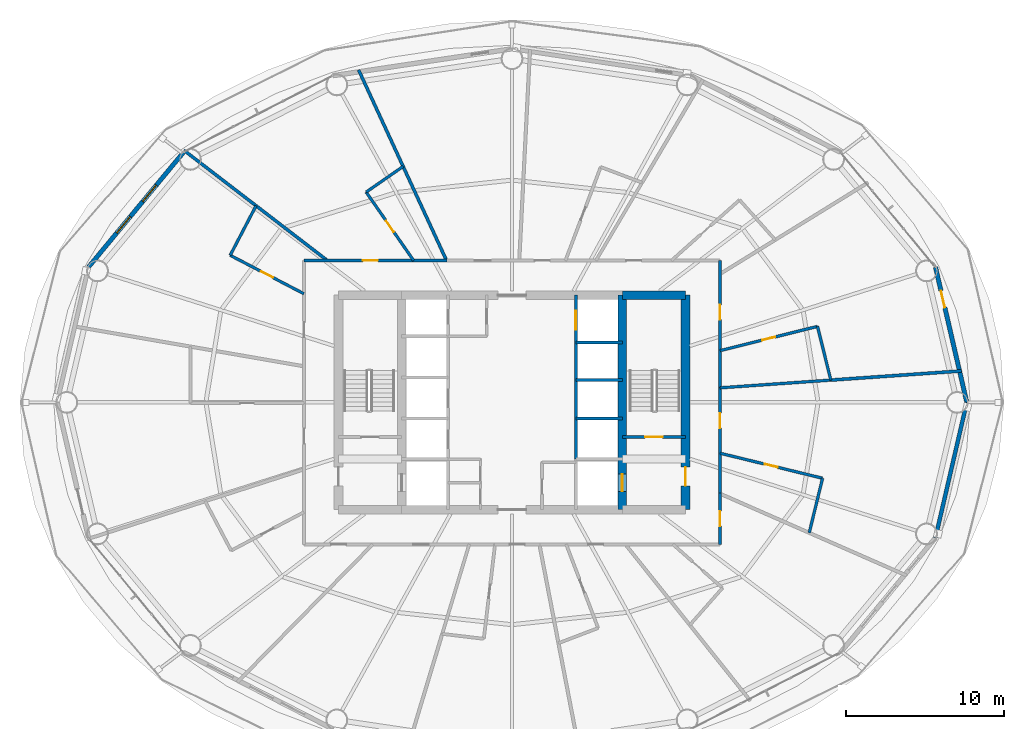
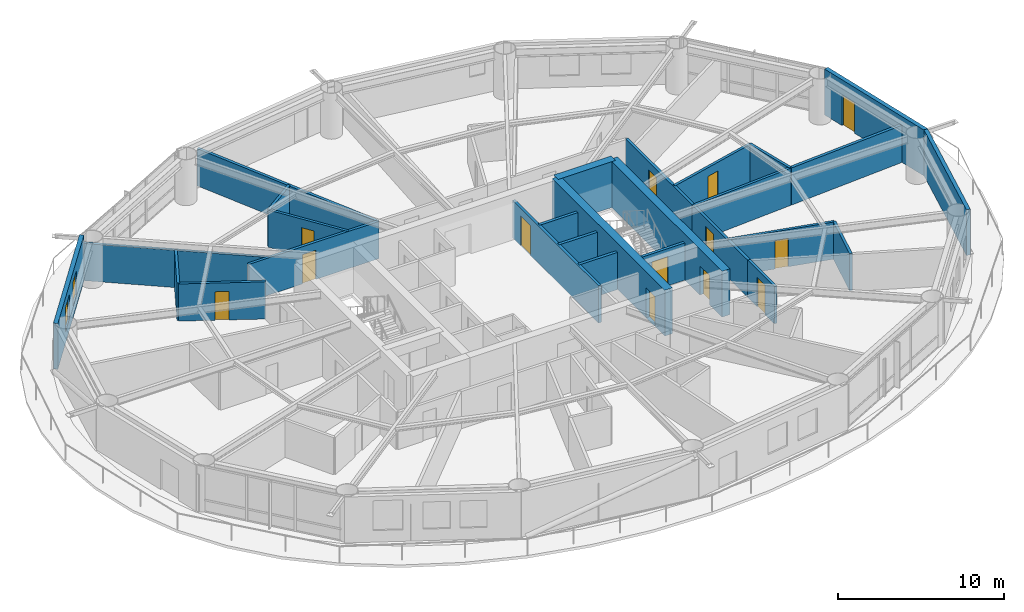
# One storey, part 20 of 24: 27 walls, 13 doors, 2 windows, 15 openings.
"""IFC4 building model written with IfcOpenShell, lengths in metres."""

import ifcopenshell
import ifcopenshell.guid

model = None  # the IFC model being written
_history = None  # IfcOwnerHistory: only IFC2X3 demands one
_inside = {}  # id of a spatial element -> (the spatial element, [elements in it])
_under = {}  # id of a project, library or spatial element -> (it, [spatial elements below it])
_declared = {}  # id of a project -> (the project, [libraries it declares])
_typed = {}  # id of a type object -> (the type object, [elements of that type])
_made_of = {}  # id of a material, layer set ... -> (it, [elements and type objects made of it])


def new_model(schema):
    """Start an empty IFC model of exactly this schema.

    Asked for "IFC4X3", IfcOpenShell would pick the latest addendum, in which some entities
    have other attributes; the version numbers below select the first issue.
    IFC2X3 requires an IfcOwnerHistory on every rooted entity: one is made here for all.
    """
    global model, _history
    if schema == "IFC4X3":
        model = ifcopenshell.file(schema_version=(4, 3, 0, 0))
    else:
        model = ifcopenshell.file(schema=schema)
    _inside.clear()
    _under.clear()
    _declared.clear()
    _typed.clear()
    _made_of.clear()
    _history = None
    if model.schema == "IFC2X3":
        org = make("IfcOrganization", Name="unknown")
        user = make(
            "IfcPersonAndOrganization",
            ThePerson=make("IfcPerson", FamilyName="unknown"),
            TheOrganization=org,
        )
        app = make(
            "IfcApplication",
            ApplicationDeveloper=org,
            Version="unknown",
            ApplicationFullName="unknown",
            ApplicationIdentifier="unknown",
        )
        _history = make(
            "IfcOwnerHistory",
            OwningUser=user,
            OwningApplication=app,
            ChangeAction="ADDED",
            CreationDate=0,
        )
    return model


def make(cls, **values):
    """One entity of the class cls with the attributes given. An attribute that is None is left unset."""
    return model.create_entity(
        cls, **{name: value for name, value in values.items() if value is not None}
    )


def rooted(cls, **values):
    """An entity with a GlobalId (a new one), such as an element, a storey or a relation."""
    return make(cls, GlobalId=ifcopenshell.guid.new(), OwnerHistory=_history, **values)


def si_unit(unit_type, name, prefix=None):
    """IfcSIUnit, for example si_unit("LENGTHUNIT", "METRE", prefix="MILLI")."""
    return make("IfcSIUnit", UnitType=unit_type, Prefix=prefix, Name=name)


def assignment(units):
    """IfcUnitAssignment: the units of a project."""
    return None if units is None else make("IfcUnitAssignment", Units=units)


def point(xyz):
    """IfcCartesianPoint."""
    return None if xyz is None else make("IfcCartesianPoint", Coordinates=xyz)


def direction(xyz):
    """IfcDirection."""
    return None if xyz is None else make("IfcDirection", DirectionRatios=xyz)


def frame(location, z_axis=None, x_axis=None):
    """IfcAxis2Placement3D, a coordinate frame: its origin and axes. An axis left out is left unset."""
    return make(
        "IfcAxis2Placement3D",
        Location=point(location),
        Axis=direction(z_axis),
        RefDirection=direction(x_axis),
    )


def frame_2d(location, x_axis=None):
    """IfcAxis2Placement2D, a coordinate frame in the plane: its origin and x axis."""
    return make(
        "IfcAxis2Placement2D", Location=point(location), RefDirection=direction(x_axis)
    )


def origin():
    """The frame at (0, 0, 0) with its axes left unset."""
    return frame((0.0, 0.0, 0.0))


def place(relative_to, where):
    """IfcLocalPlacement: puts the frame where relative to a parent placement (None: the world)."""
    return make(
        "IfcLocalPlacement", PlacementRelTo=relative_to, RelativePlacement=where
    )


def context(
    kind, dimensions, precision=None, world=None, true_north=None, identifier=None
):
    """IfcGeometricRepresentationContext, for example the 3D "Model" context."""
    return make(
        "IfcGeometricRepresentationContext",
        ContextIdentifier=identifier,
        ContextType=kind,
        CoordinateSpaceDimension=dimensions,
        Precision=precision,
        WorldCoordinateSystem=world,
        TrueNorth=true_north,
    )


def subcontext(parent, identifier, kind, view, scale=None):
    """IfcGeometricRepresentationSubContext, for example "Body" below "Model"."""
    return make(
        "IfcGeometricRepresentationSubContext",
        ContextIdentifier=identifier,
        ContextType=kind,
        ParentContext=parent,
        TargetScale=scale,
        TargetView=view,
    )


def project(units=None, contexts=None):
    """IfcProject with its units and contexts."""
    return rooted(
        "IfcProject",
        Name="project",
        RepresentationContexts=contexts,
        UnitsInContext=assignment(units),
    )


def spatial(cls, under=None, at=None, **own):
    """A site, building, storey or space (cls), placed at a placement, below another one or the project."""
    s = rooted(cls, ObjectPlacement=at, **own)
    if under is not None:
        _under.setdefault(under.id(), (under, []))[1].append(s)
    return s


def profile(cls, at=None, kind="AREA", **sizes):
    """A parametric profile (cls). Its sizes go by their IFC names, for example OverallWidth=200.0."""
    return make(cls, ProfileType=kind, Position=at, **sizes)


def rectangle(**sizes):
    """IfcRectangleProfileDef."""
    return profile("IfcRectangleProfileDef", **sizes)


def extrude(swept, where, along, depth):
    """IfcExtrudedAreaSolid: the profile swept, set in the frame where, extruded along a direction by depth."""
    return make(
        "IfcExtrudedAreaSolid",
        SweptArea=swept,
        Position=where,
        ExtrudedDirection=direction(along),
        Depth=depth,
    )


def shape(context_of_items, identifier, shape_type, items):
    """IfcShapeRepresentation: the items that make up one representation, for example the "Body"."""
    return make(
        "IfcShapeRepresentation",
        ContextOfItems=context_of_items,
        RepresentationIdentifier=identifier,
        RepresentationType=shape_type,
        Items=items,
    )


def material(Name=None, Category=None):
    """IfcMaterial."""
    return make("IfcMaterial", Name=Name, Category=Category)


def layer(
    of_material, thickness, ventilated=None, Name=None, Category=None, Priority=None
):
    """IfcMaterialLayer: one layer of a wall or slab, of a material (None: an air gap)."""
    return make(
        "IfcMaterialLayer",
        Material=of_material,
        LayerThickness=thickness,
        IsVentilated=ventilated,
        Name=Name,
        Category=Category,
        Priority=Priority,
    )


def layer_set(layers, Name=None):
    """IfcMaterialLayerSet."""
    return make("IfcMaterialLayerSet", MaterialLayers=layers, LayerSetName=Name)


def made_of(thing, what):
    """Note that an element or type object is made of a material, layer set ...; save() writes the relation."""
    if what is not None:
        _made_of.setdefault(what.id(), (what, []))[1].append(thing)
    return thing


def type_object(cls, material=None, **own):
    """A type object (cls), such as IfcWallType, which elements share."""
    return made_of(rooted(cls, **own), material)


def element(
    cls,
    number,
    at=None,
    inside=None,
    cuts=None,
    type_object=None,
    material=None,
    context=None,
    identifier="Body",
    shape_type=None,
    held_by="IfcProductDefinitionShape",
    body=None,
    shapes=None,
    **own,
):
    """One element of the class cls, such as IfcWall. Its Tag is "e" and its number.

    at: its placement. inside: the storey or other place that contains it. cuts: it is an
    opening in that element (IfcRelVoidsElement). A single representation is given by context,
    identifier, shape_type and body (its items); several are given by shapes. held_by: the class
    of the entity that holds the representations. save() writes the other relations.
    """
    e = rooted(cls, Tag="e%d" % number, ObjectPlacement=at, **own)
    if body is not None:
        shapes = [shape(context, identifier, shape_type, body)]
    if shapes is not None:
        e.Representation = make(held_by, Representations=shapes)
    if inside is not None:
        _inside.setdefault(inside.id(), (inside, []))[1].append(e)
    if cuts is not None:
        rooted(
            "IfcRelVoidsElement", RelatingBuildingElement=cuts, RelatedOpeningElement=e
        )
    if type_object is not None:
        _typed.setdefault(type_object.id(), (type_object, []))[1].append(e)
    return made_of(e, material)


def fill(opening, filler):
    """IfcRelFillsElement: the door or window that sits in an opening."""
    return rooted(
        "IfcRelFillsElement",
        RelatingOpeningElement=opening,
        RelatedBuildingElement=filler,
    )


def aggregate(whole, parts):
    """IfcRelAggregates: a whole, such as a stair, and the parts it consists of."""
    return rooted("IfcRelAggregates", RelatingObject=whole, RelatedObjects=parts)


def save(model, path):
    """Write the relations noted so far, then the file.

    IfcRelAggregates (storeys below a building ...), IfcRelContainedInSpatialStructure (elements
    in a storey), IfcRelDefinesByType, IfcRelAssociatesMaterial and IfcRelDeclares: one each for
    every whole, place, type object, material and project.
    """
    for whole, parts in _under.values():
        aggregate(whole, parts)
    for where, things in _inside.values():
        rooted(
            "IfcRelContainedInSpatialStructure",
            RelatedElements=things,
            RelatingStructure=where,
        )
    for kind, things in _typed.values():
        rooted("IfcRelDefinesByType", RelatedObjects=things, RelatingType=kind)
    for what, things in _made_of.values():
        rooted("IfcRelAssociatesMaterial", RelatedObjects=things, RelatingMaterial=what)
    for by, libraries in _declared.values():
        rooted("IfcRelDeclares", RelatingContext=by, RelatedDefinitions=libraries)
    model.write(path)


model = new_model("IFC4")

# Units and contexts
model_context = context("Model", 3, precision=1e-05, world=origin(), true_north=direction((0.0, 1.0)))
body_context = subcontext(model_context, "Body", "Model", "MODEL_VIEW")
ifc_project = project(units=[si_unit("LENGTHUNIT", "METRE"), si_unit("AREAUNIT", "SQUARE_METRE"), si_unit("VOLUMEUNIT", "CUBIC_METRE"), si_unit("PLANEANGLEUNIT", "RADIAN"), si_unit("MASSUNIT", "GRAM", prefix="KILO")], contexts=[model_context])

# Site, building, storey
site_placement = place(None, origin())
site = spatial("IfcSite", under=ifc_project, at=site_placement, CompositionType="ELEMENT")
building_placement = place(site_placement, origin())
building = spatial("IfcBuilding", under=site, at=building_placement, Name="Sarneth Arch Tower", CompositionType="ELEMENT")
storey_placement = place(building_placement, frame((0.0, 0.0, 91.199951171875)))
storey = spatial("IfcBuildingStorey", under=building, at=storey_placement, Name="L22", CompositionType="ELEMENT", Elevation=91.199951171875)

# Wall
ifc_material_1 = material(Name="Concrete C60/75", Category="concrete")
ifc_layer_1 = layer(ifc_material_1, 0.550048828125)
ifc_layer_set_1 = layer_set([ifc_layer_1], Name="Concrete C60/75")
wall_type_1 = type_object("IfcWallType", Name="WALL-CORE-550", PredefinedType="SHEAR", material=ifc_layer_set_1)
wall_1_placement = place(storey_placement, frame((55.0, 48.800048828125, 0.0), z_axis=(0.0, 0.0, 1.0), x_axis=(1.0, 0.0, 0.0)))
element("IfcWall", 1, at=wall_1_placement, inside=storey, type_object=wall_type_1, Name="L22 Core shear wall N-E", PredefinedType="SHEAR", context=body_context, shape_type="SweptSolid", body=[
    extrude(rectangle(XDim=4.0, YDim=0.550048828125, at=frame_2d((2.0, 0.0))), origin(), (0.0, 0.0, 1.0), 3.380126953125),
])

# Wall, opening, door
wall_2_placement = place(storey_placement, frame((59.0, 35.199951171875, 0.0), z_axis=(0.0, 0.0, 1.0), x_axis=(0.0, 1.0, 0.0)))
wall_2 = element("IfcWall", 2, at=wall_2_placement, inside=storey, type_object=wall_type_1, Name="L22 Core shear wall E", PredefinedType="SHEAR", context=body_context, shape_type="SweptSolid", body=[
    extrude(rectangle(XDim=13.60009765625, YDim=0.550048828125, at=frame_2d((6.800048828125, 0.0))), origin(), (0.0, 0.0, 1.0), 3.380126953125),
])
opening_1_placement = place(wall_2_placement, frame((1.5, 0.0, 0.0)))
opening_1 = element("IfcOpeningElement", 3, at=opening_1_placement, cuts=wall_2, Name="Opening FD-02", PredefinedType="OPENING", context=body_context, shape_type="SweptSolid", body=[
    extrude(rectangle(XDim=1.199951171875, YDim=2.14990234375, at=frame_2d((0.60009765625, 1.074951171875))), frame((0.0, 0.284912109375, 0.0), z_axis=(0.0, -1.0, 0.0), x_axis=(1.0, 0.0, 0.0)), (0.0, 0.0, 1.0), 0.570068359375),
])
ifc_material_2 = material(Name="Galvanised Steel S275 fire door set", Category="steel")
door_type_1 = type_object("IfcDoorType", Name="DR-FD90-1200", OperationType="SINGLE_SWING_LEFT", PredefinedType="DOOR", material=ifc_material_2)
door_1_placement = place(opening_1_placement, origin())
door_1 = element("IfcDoor", 4, at=door_1_placement, inside=storey, type_object=door_type_1, Name="L22 Firefighting lobby 2 exit door", OperationType="SINGLE_SWING_RIGHT", OverallHeight=2.14990234375, OverallWidth=1.199951171875, PredefinedType="DOOR", context=body_context, shape_type="SweptSolid", body=[
    extrude(rectangle(XDim=1.199951171875, YDim=2.14990234375, at=frame_2d((0.60009765625, 1.074951171875))), frame((0.0, 0.02490234375, 0.0), z_axis=(0.0, -1.0, 0.0), x_axis=(1.0, 0.0, 0.0)), (0.0, 0.0, 1.0), 0.050048828125),
])
fill(opening_1, door_1)

wall_3_placement = place(storey_placement, frame((55.0, 35.199951171875, 0.0), z_axis=(0.0, 0.0, 1.0), x_axis=(0.0, 1.0, 0.0)))
wall_3 = element("IfcWall", 5, at=wall_3_placement, inside=storey, type_object=wall_type_1, Name="L22 Core shear wall WEB-E", PredefinedType="SHEAR", context=body_context, shape_type="SweptSolid", body=[
    extrude(rectangle(XDim=13.60009765625, YDim=0.550048828125, at=frame_2d((6.800048828125, 0.0))), origin(), (0.0, 0.0, 1.0), 3.380126953125),
])
opening_2_placement = place(wall_3_placement, frame((1.14990234375, 0.0, 0.0)))
opening_2 = element("IfcOpeningElement", 6, at=opening_2_placement, cuts=wall_3, Name="Opening LD-1", PredefinedType="OPENING", context=body_context, shape_type="SweptSolid", body=[
    extrude(rectangle(XDim=1.10009765625, YDim=2.199951171875, at=frame_2d((0.550048828125, 1.10009765625))), frame((0.0, 0.284912109375, 0.0), z_axis=(0.0, -1.0, 0.0), x_axis=(1.0, 0.0, 0.0)), (0.0, 0.0, 1.0), 0.570068359375),
])
ifc_material_3 = material(Name="Brushed Stainless Steel 304 lift landing door", Category="steel")
door_type_2 = type_object("IfcDoorType", Name="DR-LIFT-SLIDE-1100", OperationType="SLIDING_TO_LEFT", PredefinedType="DOOR", material=ifc_material_3)
door_2_placement = place(opening_2_placement, origin())
door_2 = element("IfcDoor", 7, at=door_2_placement, inside=storey, type_object=door_type_2, Name="L22 Firefighting lift landing door FL-2", OperationType="SLIDING_TO_RIGHT", OverallHeight=2.199951171875, OverallWidth=1.10009765625, PredefinedType="DOOR", context=body_context, shape_type="SweptSolid", body=[
    extrude(rectangle(XDim=1.10009765625, YDim=2.199951171875, at=frame_2d((0.550048828125, 1.10009765625))), frame((0.0, 0.02490234375, 0.0), z_axis=(0.0, -1.0, 0.0), x_axis=(1.0, 0.0, 0.0)), (0.0, 0.0, 1.0), 0.050048828125),
])
fill(opening_2, door_2)

ifc_material_4 = material(Name="Double steel-stud corridor fire wall", Category="steel")
ifc_layer_2 = layer(ifc_material_4, 0.18994140625)
ifc_layer_set_2 = layer_set([ifc_layer_2], Name="Double steel-stud corridor fire wall")
wall_type_2 = type_object("IfcWallType", Name="WALL-CORR-190", PredefinedType="PARTITIONING", material=ifc_layer_set_2)
wall_4_placement = place(storey_placement, frame((34.800048828125, 51.0, 0.0), z_axis=(0.0, 0.0, 1.0), x_axis=(1.0, 0.0, 0.0)))
wall_4 = element("IfcWall", 8, at=wall_4_placement, inside=storey, type_object=wall_type_2, Name="L22 Interior partition W-L22-TP-009", PredefinedType="PARTITIONING", context=body_context, shape_type="SweptSolid", body=[
    extrude(rectangle(XDim=9.08251953125, YDim=0.18994140625, at=frame_2d((4.541259765625, 0.0))), origin(), (0.0, 0.0, 1.0), 2.739990234375),
])
opening_3_placement = place(wall_4_placement, frame((3.741455078125, 0.0, 0.0)))
opening_3 = element("IfcOpeningElement", 9, at=opening_3_placement, cuts=wall_4, Name="Opening FD-09", PredefinedType="OPENING", context=body_context, shape_type="SweptSolid", body=[
    extrude(rectangle(XDim=0.949951171875, YDim=2.14990234375, at=frame_2d((0.47509765625, 1.074951171875))), frame((0.0, 0.10498046875, 0.0), z_axis=(0.0, -1.0, 0.0), x_axis=(1.0, 0.0, 0.0)), (0.0, 0.0, 1.0), 0.2099609375),
])
ifc_material_5 = material(Name="Hardwood timber hotel entrance fire door", Category="wood")
door_type_3 = type_object("IfcDoorType", Name="DR-FD60-950", OperationType="SINGLE_SWING_RIGHT", PredefinedType="DOOR", material=ifc_material_5)
door_3_placement = place(opening_3_placement, origin())
door_3 = element("IfcDoor", 10, at=door_3_placement, inside=storey, type_object=door_type_3, Name="L22 Interior door DR-L22-KEY-05", OperationType="SINGLE_SWING_LEFT", OverallHeight=2.14990234375, OverallWidth=0.949951171875, PredefinedType="DOOR", context=body_context, shape_type="SweptSolid", body=[
    extrude(rectangle(XDim=0.949951171875, YDim=2.14990234375, at=frame_2d((0.47509765625, 1.074951171875))), frame((0.0, 0.02490234375, 0.0), z_axis=(0.0, -1.0, 0.0), x_axis=(1.0, 0.0, 0.0)), (0.0, 0.0, 1.0), 0.050048828125),
])
fill(opening_3, door_3)

wall_5_placement = place(storey_placement, frame((61.199951171875, 51.0, 0.0), z_axis=(0.0, 0.0, 1.0), x_axis=(0.0, -1.0, 0.0)))
wall_5 = element("IfcWall", 11, at=wall_5_placement, inside=storey, type_object=wall_type_2, Name="L22 Interior partition W-L22-TP-001", PredefinedType="PARTITIONING", context=body_context, shape_type="SweptSolid", body=[
    extrude(rectangle(XDim=8.109130859375, YDim=0.18994140625, at=frame_2d((4.0546875, 0.0))), origin(), (0.0, 0.0, 1.0), 2.739990234375),
])
opening_4_placement = place(wall_5_placement, frame((2.805908203125, 0.0, 0.0)))
opening_4 = element("IfcOpeningElement", 12, at=opening_4_placement, cuts=wall_5, Name="Opening FD-09", PredefinedType="OPENING", context=body_context, shape_type="SweptSolid", body=[
    extrude(rectangle(XDim=0.949951171875, YDim=2.14990234375, at=frame_2d((0.47509765625, 1.074951171875))), frame((0.0, 0.10498046875, 0.0), z_axis=(0.0, -1.0, 0.0), x_axis=(1.0, 0.0, 0.0)), (0.0, 0.0, 1.0), 0.2099609375),
])
door_4_placement = place(opening_4_placement, origin())
door_4 = element("IfcDoor", 13, at=door_4_placement, inside=storey, type_object=door_type_3, Name="L22 Interior door DR-L22-KEY-01", OperationType="SINGLE_SWING_LEFT", OverallHeight=2.14990234375, OverallWidth=0.949951171875, PredefinedType="DOOR", context=body_context, shape_type="SweptSolid", body=[
    extrude(rectangle(XDim=0.949951171875, YDim=2.14990234375, at=frame_2d((0.47509765625, 1.074951171875))), frame((0.0, 0.02490234375, 0.0), z_axis=(0.0, -1.0, 0.0), x_axis=(1.0, 0.0, 0.0)), (0.0, 0.0, 1.0), 0.050048828125),
])
fill(opening_4, door_4)

wall_6_placement = place(storey_placement, frame((61.199951171875, 42.955078125, 0.0), z_axis=(0.0, 0.0, 1.0), x_axis=(0.0, -1.0, 0.0)))
wall_6 = element("IfcWall", 14, at=wall_6_placement, inside=storey, type_object=wall_type_2, Name="L22 Interior partition W-L22-TP-027", PredefinedType="PARTITIONING", context=body_context, shape_type="SweptSolid", body=[
    extrude(rectangle(XDim=6.7822265625, YDim=0.18994140625, at=frame_2d((3.39111328125, 0.0))), origin(), (0.0, 0.0, 1.0), 2.739990234375),
])
opening_5_placement = place(wall_6_placement, frame((1.630615234375, 0.0, 0.0)))
opening_5 = element("IfcOpeningElement", 15, at=opening_5_placement, cuts=wall_6, Name="Opening FD-09", PredefinedType="OPENING", context=body_context, shape_type="SweptSolid", body=[
    extrude(rectangle(XDim=0.949951171875, YDim=2.14990234375, at=frame_2d((0.47509765625, 1.074951171875))), frame((0.0, 0.10498046875, 0.0), z_axis=(0.0, -1.0, 0.0), x_axis=(1.0, 0.0, 0.0)), (0.0, 0.0, 1.0), 0.2099609375),
])
door_5_placement = place(opening_5_placement, origin())
door_5 = element("IfcDoor", 16, at=door_5_placement, inside=storey, type_object=door_type_3, Name="L22 Interior door DR-L22-KEY-13", OperationType="SINGLE_SWING_LEFT", OverallHeight=2.14990234375, OverallWidth=0.949951171875, PredefinedType="DOOR", context=body_context, shape_type="SweptSolid", body=[
    extrude(rectangle(XDim=0.949951171875, YDim=2.14990234375, at=frame_2d((0.47509765625, 1.074951171875))), frame((0.0, 0.02490234375, 0.0), z_axis=(0.0, -1.0, 0.0), x_axis=(1.0, 0.0, 0.0)), (0.0, 0.0, 1.0), 0.050048828125),
])
fill(opening_5, door_5)

wall_7_placement = place(storey_placement, frame((61.199951171875, 36.24267578125, 0.0), z_axis=(0.0, 0.0, 1.0), x_axis=(0.0, -1.0, 0.0)))
wall_7 = element("IfcWall", 17, at=wall_7_placement, inside=storey, type_object=wall_type_2, Name="L22 Interior partition W-L22-TP-024", PredefinedType="PARTITIONING", context=body_context, shape_type="SweptSolid", body=[
    extrude(rectangle(XDim=3.24267578125, YDim=0.18994140625, at=frame_2d((1.621337890625, 0.0))), origin(), (0.0, 0.0, 1.0), 2.739990234375),
])
opening_6_placement = place(wall_7_placement, frame((1.146240234375, 0.0, 0.0)))
opening_6 = element("IfcOpeningElement", 18, at=opening_6_placement, cuts=wall_7, Name="Opening FD-09", PredefinedType="OPENING", context=body_context, shape_type="SweptSolid", body=[
    extrude(rectangle(XDim=0.949951171875, YDim=2.14990234375, at=frame_2d((0.47509765625, 1.074951171875))), frame((0.0, 0.10498046875, 0.0), z_axis=(0.0, -1.0, 0.0), x_axis=(1.0, 0.0, 0.0)), (0.0, 0.0, 1.0), 0.2099609375),
])
door_6_placement = place(opening_6_placement, origin())
door_6 = element("IfcDoor", 19, at=door_6_placement, inside=storey, type_object=door_type_3, Name="L22 Interior door DR-L22-KEY-12", OperationType="SINGLE_SWING_RIGHT", OverallHeight=2.14990234375, OverallWidth=0.949951171875, PredefinedType="DOOR", context=body_context, shape_type="SweptSolid", body=[
    extrude(rectangle(XDim=0.949951171875, YDim=2.14990234375, at=frame_2d((0.47509765625, 1.074951171875))), frame((0.0, 0.02490234375, 0.0), z_axis=(0.0, -1.0, 0.0), x_axis=(1.0, 0.0, 0.0)), (0.0, 0.0, 1.0), 0.050048828125),
])
fill(opening_6, door_6)

# Wall
ifc_material_6 = material(Name="Extruded terracotta rainscreen on Concrete C40/50 backing", Category="masonry")
ifc_layer_3 = layer(ifc_material_6, 0.25)
ifc_layer_set_3 = layer_set([ifc_layer_3], Name="Extruded terracotta rainscreen on Concrete C40/50 backing")
wall_type_3 = type_object("IfcWallType", Name="WALL-EXT-SPAND-250", PredefinedType="SOLIDWALL", material=ifc_layer_set_3)
wall_8_placement = place(storey_placement, frame((74.861328125, 33.41650390625, 0.0), z_axis=(0.0, 0.0, 1.0), x_axis=(0.22558597182, 0.974223264616, 0.0)))
element("IfcWall", 20, at=wall_8_placement, inside=storey, type_object=wall_type_3, Name="L22 Terracotta perimeter wall 16", PredefinedType="SOLIDWALL", context=body_context, shape_type="SweptSolid", body=[
    extrude(rectangle(XDim=8.810546875, YDim=0.25, at=frame_2d((4.4052734375, 0.0))), origin(), (0.0, 0.0, 1.0), 3.380126953125),
])

# Wall, opening, door
ifc_material_7 = material(Name="Extruded terracotta rainscreen on Concrete C40/50 backing", Category="masonry")
ifc_layer_4 = layer(ifc_material_7, 0.280029296875)
ifc_layer_set_4 = layer_set([ifc_layer_4], Name="Extruded terracotta rainscreen on Concrete C40/50 backing")
wall_type_4 = type_object("IfcWallType", Name="WALL-EXT-TERRA-280", PredefinedType="SOLIDWALL", material=ifc_layer_set_4)
wall_9_placement = place(storey_placement, frame((76.848876953125, 42.0, 0.0), z_axis=(0.0, 0.0, 1.0), x_axis=(-0.22558597182, 0.974223264616, 0.0)))
wall_9 = element("IfcWall", 21, at=wall_9_placement, inside=storey, type_object=wall_type_4, Name="L22 Terracotta perimeter wall 01", PredefinedType="SOLIDWALL", context=body_context, shape_type="SweptSolid", body=[
    extrude(rectangle(XDim=8.810546875, YDim=0.280029296875, at=frame_2d((4.4052734375, 0.0))), origin(), (0.0, 0.0, 1.0), 3.380126953125),
])
opening_7_placement = place(wall_9_placement, frame((6.174560546875, 0.0, 0.0)))
opening_7 = element("IfcOpeningElement", 22, at=opening_7_placement, cuts=wall_9, Name="Opening BD-3", PredefinedType="OPENING", context=body_context, shape_type="SweptSolid", body=[
    extrude(rectangle(XDim=1.10009765625, YDim=2.25, at=frame_2d((0.550048828125, 1.125))), frame((0.0, 0.14990234375, 0.0), z_axis=(0.0, -1.0, 0.0), x_axis=(1.0, 0.0, 0.0)), (0.0, 0.0, 1.0), 0.300048828125),
])
ifc_material_8 = material(Name="Thermally broken Aluminium 6063-T6 and laminated safety glass", Category="aluminium")
door_type_4 = type_object("IfcDoorType", Name="DR-BALC-GLZ-1100", OperationType="SINGLE_SWING_LEFT", PredefinedType="DOOR", material=ifc_material_8)
door_7_placement = place(opening_7_placement, origin())
door_7 = element("IfcDoor", 23, at=door_7_placement, inside=storey, type_object=door_type_4, Name="L22 Balcony glazed door 01", OperationType="SINGLE_SWING_LEFT", OverallHeight=2.25, OverallWidth=1.10009765625, PredefinedType="DOOR", context=body_context, shape_type="SweptSolid", body=[
    extrude(rectangle(XDim=1.10009765625, YDim=2.25, at=frame_2d((0.550048828125, 1.125))), frame((0.0, 0.02490234375, 0.0), z_axis=(0.0, -1.0, 0.0), x_axis=(1.0, 0.0, 0.0)), (0.0, 0.0, 1.0), 0.050048828125),
])
fill(opening_7, door_7)

# Wall, openings, windows
wall_10_placement = place(storey_placement, frame((27.159912109375, 57.8603515625, 0.0), z_axis=(0.0, 0.0, 1.0), x_axis=(-0.637505817448, -0.770445541696, 0.0)))
wall_10 = element("IfcWall", 24, at=wall_10_placement, inside=storey, type_object=wall_type_4, Name="L22 Terracotta perimeter wall 07", PredefinedType="SOLIDWALL", context=body_context, shape_type="SweptSolid", body=[
    extrude(rectangle(XDim=9.445068359375, YDim=0.280029296875, at=frame_2d((4.72265625, 0.0))), origin(), (0.0, 0.0, 1.0), 3.380126953125),
])
opening_8_placement = place(wall_10_placement, frame((2.696533203125, 0.0, 0.85009765625)))
opening_8 = element("IfcOpeningElement", 25, at=opening_8_placement, cuts=wall_10, Name="Opening W-08", PredefinedType="OPENING", context=body_context, shape_type="SweptSolid", body=[
    extrude(rectangle(XDim=1.35009765625, YDim=1.800048828125, at=frame_2d((0.675048828125, 0.89990234375))), frame((0.0, 0.14990234375, 0.0), z_axis=(0.0, -1.0, 0.0), x_axis=(1.0, 0.0, 0.0)), (0.0, 0.0, 1.0), 0.300048828125),
])
opening_9_placement = place(wall_10_placement, frame((5.281982421875, 0.0, 0.85009765625)))
opening_9 = element("IfcOpeningElement", 26, at=opening_9_placement, cuts=wall_10, Name="Opening W-08", PredefinedType="OPENING", context=body_context, shape_type="SweptSolid", body=[
    extrude(rectangle(XDim=1.35009765625, YDim=1.800048828125, at=frame_2d((0.675048828125, 0.89990234375))), frame((0.0, 0.14990234375, 0.0), z_axis=(0.0, -1.0, 0.0), x_axis=(1.0, 0.0, 0.0)), (0.0, 0.0, 1.0), 0.300048828125),
])
ifc_material_9 = material(Name="Thermally broken Aluminium 6063-T6 and low-e laminated IGU", Category="aluminium")
window_type = type_object("IfcWindowType", Name="WIN-TWR-1350x1800", PartitioningType="SINGLE_PANEL", PredefinedType="WINDOW", material=ifc_material_9)
window_1_placement = place(opening_8_placement, origin())
window_1 = element("IfcWindow", 27, at=window_1_placement, inside=storey, type_object=window_type, Name="L22 Exterior window 07A", OverallHeight=1.800048828125, OverallWidth=1.35009765625, PartitioningType="SINGLE_PANEL", PredefinedType="WINDOW", context=body_context, shape_type="SweptSolid", body=[
    extrude(rectangle(XDim=1.35009765625, YDim=1.800048828125, at=frame_2d((0.675048828125, 0.89990234375))), frame((0.0, 0.030029296875, 0.0), z_axis=(0.0, -1.0, 0.0), x_axis=(1.0, 0.0, 0.0)), (0.0, 0.0, 1.0), 0.06005859375),
])
fill(opening_8, window_1)
window_2_placement = place(opening_9_placement, origin())
window_2 = element("IfcWindow", 28, at=window_2_placement, inside=storey, type_object=window_type, Name="L22 Exterior window 07B", OverallHeight=1.800048828125, OverallWidth=1.35009765625, PartitioningType="SINGLE_PANEL", PredefinedType="WINDOW", context=body_context, shape_type="SweptSolid", body=[
    extrude(rectangle(XDim=1.35009765625, YDim=1.800048828125, at=frame_2d((0.675048828125, 0.89990234375))), frame((0.0, 0.030029296875, 0.0), z_axis=(0.0, -1.0, 0.0), x_axis=(1.0, 0.0, 0.0)), (0.0, 0.0, 1.0), 0.06005859375),
])
fill(opening_9, window_2)

# Wall
ifc_material_10 = material(Name="Moisture-resistant plumbing chase wall", Category="gypsum")
ifc_layer_5 = layer(ifc_material_10, 0.179931640625)
ifc_layer_set_5 = layer_set([ifc_layer_5], Name="Moisture-resistant plumbing chase wall")
wall_type_5 = type_object("IfcWallType", Name="WALL-PLUMB-180", PredefinedType="PLUMBINGWALL", material=ifc_layer_set_5)
wall_11_placement = place(storey_placement, frame((68.224365234375, 43.414306640625, 0.0), z_axis=(0.0, 0.0, 1.0), x_axis=(-0.997563891584, -0.06975874287, 0.0)))
element("IfcWall", 29, at=wall_11_placement, inside=storey, type_object=wall_type_5, Name="L22 Interior partition W-L22-TP-034", PredefinedType="PLUMBINGWALL", context=body_context, shape_type="SweptSolid", body=[
    extrude(rectangle(XDim=7.04150390625, YDim=0.179931640625, at=frame_2d((3.520751953125, 0.0))), origin(), (0.0, 0.0, 1.0), 2.739990234375),
])

# Wall, opening, door
wall_12_placement = place(storey_placement, frame((67.69873046875, 37.189453125, 0.0), z_axis=(0.0, 0.0, 1.0), x_axis=(-0.971448370468, 0.237251055878, 0.0)))
wall_12 = element("IfcWall", 30, at=wall_12_placement, inside=storey, type_object=wall_type_5, Name="L22 Interior partition W-L22-TP-074", PredefinedType="PLUMBINGWALL", context=body_context, shape_type="SweptSolid", body=[
    extrude(rectangle(XDim=6.689697265625, YDim=0.179931640625, at=frame_2d((3.3447265625, 0.0))), origin(), (0.0, 0.0, 1.0), 2.739990234375),
])
opening_10_placement = place(wall_12_placement, frame((2.919921875, 0.0, 0.0)))
opening_10 = element("IfcOpeningElement", 31, at=opening_10_placement, cuts=wall_12, Name="Opening ID-02", PredefinedType="OPENING", context=body_context, shape_type="SweptSolid", body=[
    extrude(rectangle(XDim=0.85009765625, YDim=2.10009765625, at=frame_2d((0.425048828125, 1.050048828125))), frame((0.0, 0.099853515625, 0.0), z_axis=(0.0, -1.0, 0.0), x_axis=(1.0, 0.0, 0.0)), (0.0, 0.0, 1.0), 0.199951171875),
])
ifc_material_11 = material(Name="Moisture-resistant bathroom timber door", Category="wood")
door_type_5 = type_object("IfcDoorType", Name="DR-INT-850", OperationType="SINGLE_SWING_RIGHT", PredefinedType="DOOR", material=ifc_material_11)
door_8_placement = place(opening_10_placement, origin())
door_8 = element("IfcDoor", 32, at=door_8_placement, inside=storey, type_object=door_type_5, Name="L22 Interior door DR-L22-ENS-13", OperationType="SINGLE_SWING_LEFT", OverallHeight=2.10009765625, OverallWidth=0.85009765625, PredefinedType="DOOR", context=body_context, shape_type="SweptSolid", body=[
    extrude(rectangle(XDim=0.85009765625, YDim=2.10009765625, at=frame_2d((0.425048828125, 1.050048828125))), frame((0.0, 0.02490234375, 0.0), z_axis=(0.0, -1.0, 0.0), x_axis=(1.0, 0.0, 0.0)), (0.0, 0.0, 1.0), 0.050048828125),
])
fill(opening_10, door_8)

wall_13_placement = place(storey_placement, frame((61.199951171875, 45.28369140625, 0.0), z_axis=(0.0, 0.0, 1.0), x_axis=(0.970426102609, 0.241398383125, 0.0)))
wall_13 = element("IfcWall", 33, at=wall_13_placement, inside=storey, type_object=wall_type_5, Name="L22 Interior partition W-L22-TP-029", PredefinedType="PLUMBINGWALL", context=body_context, shape_type="SweptSolid", body=[
    extrude(rectangle(XDim=6.365478515625, YDim=0.179931640625, at=frame_2d((3.1826171875, 0.0))), origin(), (0.0, 0.0, 1.0), 2.739990234375),
])
opening_11_placement = place(wall_13_placement, frame((2.7578125, 0.0, 0.0)))
opening_11 = element("IfcOpeningElement", 34, at=opening_11_placement, cuts=wall_13, Name="Opening ID-02", PredefinedType="OPENING", context=body_context, shape_type="SweptSolid", body=[
    extrude(rectangle(XDim=0.85009765625, YDim=2.10009765625, at=frame_2d((0.425048828125, 1.050048828125))), frame((0.0, 0.099853515625, 0.0), z_axis=(0.0, -1.0, 0.0), x_axis=(1.0, 0.0, 0.0)), (0.0, 0.0, 1.0), 0.199951171875),
])
door_9_placement = place(opening_11_placement, origin())
door_9 = element("IfcDoor", 35, at=door_9_placement, inside=storey, type_object=door_type_5, Name="L22 Interior door DR-L22-ENS-01", OperationType="SINGLE_SWING_LEFT", OverallHeight=2.10009765625, OverallWidth=0.85009765625, PredefinedType="DOOR", context=body_context, shape_type="SweptSolid", body=[
    extrude(rectangle(XDim=0.85009765625, YDim=2.10009765625, at=frame_2d((0.425048828125, 1.050048828125))), frame((0.0, 0.02490234375, 0.0), z_axis=(0.0, -1.0, 0.0), x_axis=(1.0, 0.0, 0.0)), (0.0, 0.0, 1.0), 0.050048828125),
])
fill(opening_11, door_9)

wall_14_placement = place(storey_placement, frame((38.75, 55.339599609375, 0.0), z_axis=(0.0, 0.0, 1.0), x_axis=(0.569842064311, -0.821754234393, 0.0)))
wall_14 = element("IfcWall", 36, at=wall_14_placement, inside=storey, type_object=wall_type_5, Name="L22 Interior partition W-L22-TP-045", PredefinedType="PLUMBINGWALL", context=body_context, shape_type="SweptSolid", body=[
    extrude(rectangle(XDim=5.281005859375, YDim=0.179931640625, at=frame_2d((2.640625, 0.0))), origin(), (0.0, 0.0, 1.0), 2.739990234375),
])
opening_12_placement = place(wall_14_placement, frame((2.21533203125, 0.0, 0.0)))
opening_12 = element("IfcOpeningElement", 37, at=opening_12_placement, cuts=wall_14, Name="Opening ID-02", PredefinedType="OPENING", context=body_context, shape_type="SweptSolid", body=[
    extrude(rectangle(XDim=0.85009765625, YDim=2.10009765625, at=frame_2d((0.425048828125, 1.050048828125))), frame((0.0, 0.099853515625, 0.0), z_axis=(0.0, -1.0, 0.0), x_axis=(1.0, 0.0, 0.0)), (0.0, 0.0, 1.0), 0.199951171875),
])
door_10_placement = place(opening_12_placement, origin())
door_10 = element("IfcDoor", 38, at=door_10_placement, inside=storey, type_object=door_type_5, Name="L22 Interior door DR-L22-ENS-05", OperationType="SINGLE_SWING_RIGHT", OverallHeight=2.10009765625, OverallWidth=0.85009765625, PredefinedType="DOOR", context=body_context, shape_type="SweptSolid", body=[
    extrude(rectangle(XDim=0.85009765625, YDim=2.10009765625, at=frame_2d((0.425048828125, 1.050048828125))), frame((0.0, 0.02490234375, 0.0), z_axis=(0.0, -1.0, 0.0), x_axis=(1.0, 0.0, 0.0)), (0.0, 0.0, 1.0), 0.050048828125),
])
fill(opening_12, door_10)

wall_15_placement = place(storey_placement, frame((30.1259765625, 51.33203125, 0.0), z_axis=(0.0, 0.0, 1.0), x_axis=(0.886465103711, -0.462795440668, 0.0)))
wall_15 = element("IfcWall", 39, at=wall_15_placement, inside=storey, type_object=wall_type_5, Name="L22 Interior partition W-L22-TP-049", PredefinedType="PLUMBINGWALL", context=body_context, shape_type="SweptSolid", body=[
    extrude(rectangle(XDim=5.272705078125, YDim=0.179931640625, at=frame_2d((2.63623046875, 0.0))), origin(), (0.0, 0.0, 1.0), 2.739990234375),
])
opening_13_placement = place(wall_15_placement, frame((2.211181640625, 0.0, 0.0)))
opening_13 = element("IfcOpeningElement", 40, at=opening_13_placement, cuts=wall_15, Name="Opening ID-02", PredefinedType="OPENING", context=body_context, shape_type="SweptSolid", body=[
    extrude(rectangle(XDim=0.85009765625, YDim=2.10009765625, at=frame_2d((0.425048828125, 1.050048828125))), frame((0.0, 0.099853515625, 0.0), z_axis=(0.0, -1.0, 0.0), x_axis=(1.0, 0.0, 0.0)), (0.0, 0.0, 1.0), 0.199951171875),
])
door_11_placement = place(opening_13_placement, origin())
door_11 = element("IfcDoor", 41, at=door_11_placement, inside=storey, type_object=door_type_5, Name="L22 Interior door DR-L22-ENS-06", OperationType="SINGLE_SWING_RIGHT", OverallHeight=2.10009765625, OverallWidth=0.85009765625, PredefinedType="DOOR", context=body_context, shape_type="SweptSolid", body=[
    extrude(rectangle(XDim=0.85009765625, YDim=2.10009765625, at=frame_2d((0.425048828125, 1.050048828125))), frame((0.0, 0.02490234375, 0.0), z_axis=(0.0, -1.0, 0.0), x_axis=(1.0, 0.0, 0.0)), (0.0, 0.0, 1.0), 0.050048828125),
])
fill(opening_13, door_11)

# Walls
wall_16_placement = place(storey_placement, frame((66.853271484375, 33.72705078125, 0.0), z_axis=(0.0, 0.0, 1.0), x_axis=(0.237213207876, 0.971457613079, 0.0)))
element("IfcWall", 42, at=wall_16_placement, inside=storey, type_object=wall_type_5, Name="L22 Interior partition W-L22-TP-073", PredefinedType="PLUMBINGWALL", context=body_context, shape_type="SweptSolid", body=[
    extrude(rectangle(XDim=3.564208984375, YDim=0.179931640625, at=frame_2d((1.7822265625, 0.0))), origin(), (0.0, 0.0, 1.0), 2.739990234375),
])
wall_17_placement = place(storey_placement, frame((31.766357421875, 54.473876953125, 0.0), z_axis=(0.0, 0.0, 1.0), x_axis=(-0.462822582901, -0.886450933079, 0.0)))
element("IfcWall", 43, at=wall_17_placement, inside=storey, type_object=wall_type_5, Name="L22 Interior partition W-L22-TP-048", PredefinedType="PLUMBINGWALL", context=body_context, shape_type="SweptSolid", body=[
    extrude(rectangle(XDim=3.544189453125, YDim=0.179931640625, at=frame_2d((1.77197265625, 0.0))), origin(), (0.0, 0.0, 1.0), 2.739990234375),
])
wall_18_placement = place(storey_placement, frame((67.377197265625, 46.8203125, 0.0), z_axis=(0.0, 0.0, 1.0), x_axis=(0.241373388957, -0.970432319692, 0.0)))
element("IfcWall", 44, at=wall_18_placement, inside=storey, type_object=wall_type_5, Name="L22 Interior partition W-L22-TP-030", PredefinedType="PLUMBINGWALL", context=body_context, shape_type="SweptSolid", body=[
    extrude(rectangle(XDim=3.509765625, YDim=0.179931640625, at=frame_2d((1.7548828125, 0.0))), origin(), (0.0, 0.0, 1.0), 2.739990234375),
])
wall_19_placement = place(storey_placement, frame((41.0947265625, 56.96533203125, 0.0), z_axis=(0.0, 0.0, 1.0), x_axis=(-0.821788449593, -0.569792720308, 0.0)))
element("IfcWall", 45, at=wall_19_placement, inside=storey, type_object=wall_type_5, Name="L22 Interior partition W-L22-TP-044", PredefinedType="PLUMBINGWALL", context=body_context, shape_type="SweptSolid", body=[
    extrude(rectangle(XDim=2.853271484375, YDim=0.179931640625, at=frame_2d((1.4267578125, 0.0))), origin(), (0.0, 0.0, 1.0), 2.739990234375),
])

# Wall, opening, door
ifc_material_12 = material(Name="Aerated concrete blockwork C25/30", Category="masonry")
ifc_layer_6 = layer(ifc_material_12, 0.199951171875)
ifc_layer_set_6 = layer_set([ifc_layer_6], Name="Aerated concrete blockwork C25/30")
wall_type_6 = type_object("IfcWallType", Name="WALL-SHAFT-200", PredefinedType="SOLIDWALL", material=ifc_layer_set_6)
wall_20_placement = place(storey_placement, frame((55.0, 39.800048828125, 0.0), z_axis=(0.0, 0.0, 1.0), x_axis=(1.0, 0.0, 0.0)))
wall_20 = element("IfcWall", 46, at=wall_20_placement, inside=storey, type_object=wall_type_6, Name="L22 Interior partition W-L22-ST2-S", PredefinedType="SOLIDWALL", context=body_context, shape_type="SweptSolid", body=[
    extrude(rectangle(XDim=4.0, YDim=0.199951171875, at=frame_2d((2.0, 0.0))), origin(), (0.0, 0.0, 1.0), 2.739990234375),
])
opening_14_placement = place(wall_20_placement, frame((1.449951171875, 0.0, 0.0)))
opening_14 = element("IfcOpeningElement", 47, at=opening_14_placement, cuts=wall_20, Name="Opening FD-03", PredefinedType="OPENING", context=body_context, shape_type="SweptSolid", body=[
    extrude(rectangle(XDim=1.10009765625, YDim=2.14990234375, at=frame_2d((0.550048828125, 1.074951171875))), frame((0.0, 0.10986328125, 0.0), z_axis=(0.0, -1.0, 0.0), x_axis=(1.0, 0.0, 0.0)), (0.0, 0.0, 1.0), 0.219970703125),
])
ifc_material_13 = material(Name="Galvanised Steel S275 fire door set", Category="steel")
door_type_6 = type_object("IfcDoorType", Name="DR-FD90-1100", OperationType="SINGLE_SWING_LEFT", PredefinedType="DOOR", material=ifc_material_13)
door_12_placement = place(opening_14_placement, origin())
door_12 = element("IfcDoor", 48, at=door_12_placement, inside=storey, type_object=door_type_6, Name="L22 Interior door DR-L22-ST2", OperationType="SINGLE_SWING_RIGHT", OverallHeight=2.14990234375, OverallWidth=1.10009765625, PredefinedType="DOOR", context=body_context, shape_type="SweptSolid", body=[
    extrude(rectangle(XDim=1.10009765625, YDim=2.14990234375, at=frame_2d((0.550048828125, 1.074951171875))), frame((0.0, 0.02490234375, 0.0), z_axis=(0.0, -1.0, 0.0), x_axis=(1.0, 0.0, 0.0)), (0.0, 0.0, 1.0), 0.050048828125),
])
fill(opening_14, door_12)

wall_21_placement = place(storey_placement, frame((52.050048828125, 38.39990234375, 0.0), z_axis=(0.0, 0.0, 1.0), x_axis=(0.0, 1.0, 0.0)))
wall_21 = element("IfcWall", 49, at=wall_21_placement, inside=storey, type_object=wall_type_6, Name="L22 Interior partition W-L22-EASTBANK-FRONT", PredefinedType="SOLIDWALL", context=body_context, shape_type="SweptSolid", body=[
    extrude(rectangle(XDim=10.400146484375, YDim=0.199951171875, at=frame_2d((5.2001953125, 0.0))), origin(), (0.0, 0.0, 1.0), 2.739990234375),
])
opening_15_placement = place(wall_21_placement, frame((8.199951171875, 0.0, 0.0)))
opening_15 = element("IfcOpeningElement", 50, at=opening_15_placement, cuts=wall_21, Name="Opening LD-2", PredefinedType="OPENING", context=body_context, shape_type="SweptSolid", body=[
    extrude(rectangle(XDim=1.199951171875, YDim=2.199951171875, at=frame_2d((0.60009765625, 1.10009765625))), frame((0.0, 0.10986328125, 0.0), z_axis=(0.0, -1.0, 0.0), x_axis=(1.0, 0.0, 0.0)), (0.0, 0.0, 1.0), 0.219970703125),
])
ifc_material_14 = material(Name="Brushed Stainless Steel 304 service lift door", Category="steel")
door_type_7 = type_object("IfcDoorType", Name="DR-LIFT-SLIDE-1200", OperationType="SLIDING_TO_RIGHT", PredefinedType="DOOR", material=ifc_material_14)
door_13_placement = place(opening_15_placement, origin())
door_13 = element("IfcDoor", 51, at=door_13_placement, inside=storey, type_object=door_type_7, Name="L22 Lift landing door DR-L22-LD-SL1", OperationType="SLIDING_TO_RIGHT", OverallHeight=2.199951171875, OverallWidth=1.199951171875, PredefinedType="DOOR", context=body_context, shape_type="SweptSolid", body=[
    extrude(rectangle(XDim=1.199951171875, YDim=2.199951171875, at=frame_2d((0.60009765625, 1.10009765625))), frame((0.0, 0.02490234375, 0.0), z_axis=(0.0, -1.0, 0.0), x_axis=(1.0, 0.0, 0.0)), (0.0, 0.0, 1.0), 0.050048828125),
])
fill(opening_15, door_13)

# Walls
for number, where, z_axis, x_axis, name in (
    (52, (52.050048828125, 40.97998046875, 0.0), (0.0, 0.0, 1.0), (1.0, 0.0, 0.0), "L22 Interior partition W-L22-EB-DIV-4098"),
    (53, (52.050048828125, 43.419921875, 0.0), (0.0, 0.0, 1.0), (1.0, 0.0, 0.0), "L22 Interior partition W-L22-EB-DIV-4342"),
    (54, (52.050048828125, 45.800048828125, 0.0), (0.0, 0.0, 1.0), (1.0, 0.0, 0.0), "L22 Interior partition W-L22-EB-DIV-4580"),
):
    element("IfcWall", number, at=place(storey_placement, frame(where, z_axis=z_axis, x_axis=x_axis)), inside=storey, type_object=wall_type_6, Name=name, PredefinedType="SOLIDWALL", context=body_context, shape_type="SweptSolid", body=[
        extrude(rectangle(XDim=2.949951171875, YDim=0.199951171875, at=frame_2d((1.47509765625, 0.0))), origin(), (0.0, 0.0, 1.0), 2.739990234375),
    ])
ifc_material_15 = material(Name="Double steel-stud acoustic drywall", Category="steel")
ifc_layer_7 = layer(ifc_material_15, 0.199951171875)
ifc_layer_set_7 = layer_set([ifc_layer_7], Name="Double steel-stud acoustic drywall")
wall_type_7 = type_object("IfcWallType", Name="WALL-UNIT-200", PredefinedType="PARTITIONING", material=ifc_layer_set_7)
wall_22_placement = place(storey_placement, frame((76.509033203125, 43.99365234375, 0.0), z_axis=(0.0, 0.0, 1.0), x_axis=(-0.997563838401, -0.069759503404, 0.0)))
element("IfcWall", 55, at=wall_22_placement, inside=storey, type_object=wall_type_7, Name="L22 Interior partition W-L22-TP-033", PredefinedType="PARTITIONING", context=body_context, shape_type="SweptSolid", body=[
    extrude(rectangle(XDim=8.304931640625, YDim=0.199951171875, at=frame_2d((4.15234375, 0.0))), origin(), (0.0, 0.0, 1.0), 2.739990234375),
])
wall_23_placement = place(storey_placement, frame((43.84716796875, 51.0, 0.0), z_axis=(0.0, 0.0, 1.0), x_axis=(-0.418953467184, 0.908007704997, 0.0)))
element("IfcWall", 56, at=wall_23_placement, inside=storey, type_object=wall_type_7, Name="L22 Interior partition W-L22-TP-042", PredefinedType="PARTITIONING", context=body_context, shape_type="SweptSolid", body=[
    extrude(rectangle(XDim=13.307373046875, YDim=0.199951171875, at=frame_2d((6.65380859375, 0.0))), origin(), (0.0, 0.0, 1.0), 2.739990234375),
])
wall_24_placement = place(storey_placement, frame((36.287353515625, 51.0, 0.0), z_axis=(0.0, 0.0, 1.0), x_axis=(-0.792955910196, 0.609279020224, 0.0)))
element("IfcWall", 57, at=wall_24_placement, inside=storey, type_object=wall_type_7, Name="L22 Interior partition W-L22-TP-046", PredefinedType="PARTITIONING", context=body_context, shape_type="SweptSolid", body=[
    extrude(rectangle(XDim=11.480224609375, YDim=0.199951171875, at=frame_2d((5.740234375, 0.0))), origin(), (0.0, 0.0, 1.0), 2.739990234375),
])

save(model, "model.ifc")
